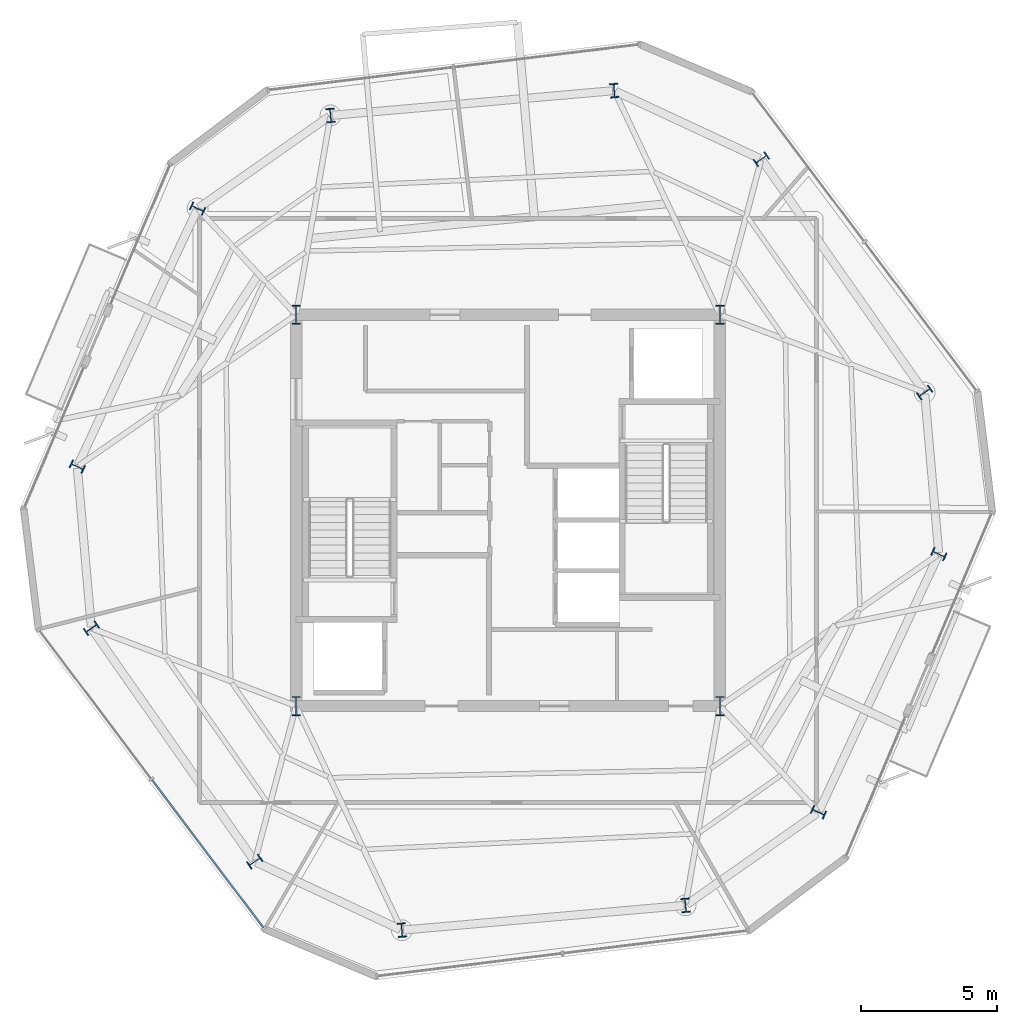
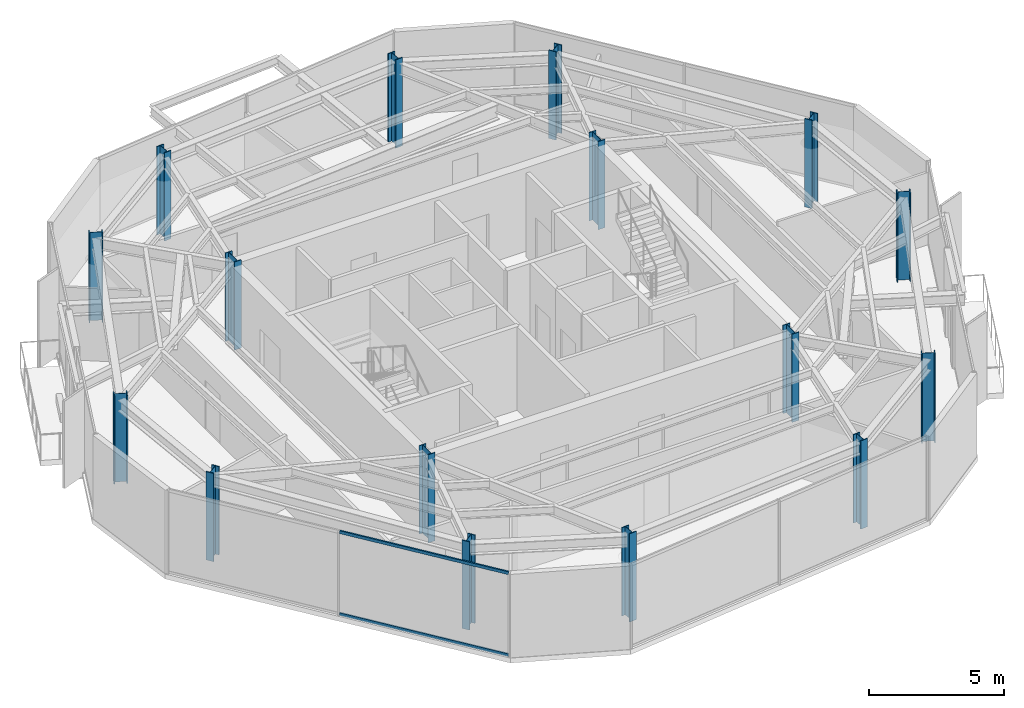
# One storey, part 1 of 11: 16 columns, 2 members, 1 element without a shape of its own.
"""IFC4 building model written with IfcOpenShell, lengths in metres."""

from ifc_helpers import new_model, si_unit, direction, frame, origin, origin_2d, place, context, subcontext, project, spatial, rectangle, i_section, extrude, material, layer, layer_set, material_profile, profile_set, type_object, element, aggregate, save


model = new_model("IFC4")

# Units and contexts
model_context = context("Model", 3, precision=1e-05, world=origin(), true_north=direction((0.0, 1.0)))
body_context = subcontext(model_context, "Body", "Model", "MODEL_VIEW")
ifc_project = project(units=[si_unit("LENGTHUNIT", "METRE"), si_unit("AREAUNIT", "SQUARE_METRE"), si_unit("VOLUMEUNIT", "CUBIC_METRE"), si_unit("PLANEANGLEUNIT", "RADIAN"), si_unit("MASSUNIT", "GRAM", prefix="KILO")], contexts=[model_context])

# Site, building, storey
site_placement = place(None, origin())
site = spatial("IfcSite", under=ifc_project, at=site_placement, CompositionType="ELEMENT")
building_placement = place(site_placement, origin())
building = spatial("IfcBuilding", under=site, at=building_placement, Name="Kranzbogen Civic Tower", CompositionType="ELEMENT")
storey_placement = place(building_placement, frame((0.0, 0.0, 294.199951171875)))
storey = spatial("IfcBuildingStorey", under=building, at=storey_placement, Name="L71", CompositionType="ELEMENT", Elevation=294.199951171875)

# Columns
ifc_material_1 = material(Name="Steel S355", Category="steel")
ifc_material_profile_1 = material_profile(ifc_material_1, i_section(OverallWidth=0.300048828125, OverallDepth=0.699951171875, WebThickness=0.01708984375, FlangeThickness=0.031982421875, at=origin_2d()), Name="HEB 700")
ifc_profile_set_1 = profile_set([ifc_material_profile_1], Name="Steel S355")
column_type_1 = type_object("IfcColumnType", Name="Structural Column HEB 700", PredefinedType="COLUMN", material=ifc_profile_set_1)
for number, where, z_axis, x_axis, name in (
    (1, (17.199951171875, 17.800048828125, 0.0), (0.0, 0.0, 1.0), (1.0, 0.0, 0.0), "L71 composite core corner column 1"),
    (2, (32.800048828125, 17.800048828125, 0.0), (0.0, 0.0, 1.0), (1.0, 0.0, 0.0), "L71 composite core corner column 2"),
    (3, (32.800048828125, 32.199951171875, 0.0), (0.0, 0.0, 1.0), (1.0, 0.0, 0.0), "L71 composite core corner column 3"),
    (4, (17.199951171875, 32.199951171875, 0.0), (0.0, 0.0, 1.0), (1.0, 0.0, 0.0), "L71 composite core corner column 4"),
):
    element("IfcColumn", number, at=place(storey_placement, frame(where, z_axis=z_axis, x_axis=x_axis)), inside=storey, type_object=column_type_1, Name=name, PredefinedType="COLUMN", context=body_context, shape_type="SweptSolid", body=[
        extrude(i_section(OverallWidth=0.300048828125, OverallDepth=0.699951171875, WebThickness=0.01708984375, FlangeThickness=0.031982421875, at=origin_2d()), origin(), (0.0, 0.0, 1.0), 4.0),
    ])
ifc_material_profile_2 = material_profile(ifc_material_1, i_section(OverallWidth=0.305908203125, OverallDepth=0.52392578125, WebThickness=0.02099609375, FlangeThickness=0.0400390625, at=origin_2d()), Name="HEM 500")
ifc_profile_set_2 = profile_set([ifc_material_profile_2], Name="Steel S355")
column_type_2 = type_object("IfcColumnType", Name="Structural Column HEM 500", PredefinedType="COLUMN", material=ifc_profile_set_2)
for number, where, z_axis, x_axis, name in (
    (5, (28.908935546875, 40.449951171875, 0.0), (0.0, 0.0, 1.0), (0.996194698092, 0.087155742748, 0.0), "L71 tower perimeter tube column 01"),
    (6, (18.467041015625, 39.535888671875, 0.0), (0.0, 0.0, 1.0), (0.996194698092, 0.087155742748, 0.0), "L71 tower perimeter tube column 02"),
    (7, (13.574951171875, 36.110107421875, 0.0), (0.0, 0.0, 1.0), (0.422618261741, 0.906307787037, 0.0), "L71 tower perimeter tube column 03"),
    (8, (9.14501953125, 26.610107421875, 0.0), (0.0, 0.0, 1.0), (0.422618261741, 0.906307787037, 0.0), "L71 tower perimeter tube column 04"),
    (9, (9.666015625, 20.660888671875, 0.0), (0.0, 0.0, 1.0), (-0.573576436351, 0.819152044289, 0.0), "L71 tower perimeter tube column 05"),
    (10, (15.677978515625, 12.073974609375, 0.0), (0.0, 0.0, 1.0), (-0.573576436351, 0.819152044289, 0.0), "L71 tower perimeter tube column 06"),
    (11, (21.091064453125, 9.550048828125, 0.0), (0.0, 0.0, 1.0), (0.996194698092, 0.087155742748, 0.0), "L71 tower perimeter tube column 07"),
    (12, (31.532958984375, 10.464111328125, 0.0), (0.0, 0.0, 1.0), (0.996194698092, 0.087155742748, 0.0), "L71 tower perimeter tube column 08"),
    (13, (36.425048828125, 13.889892578125, 0.0), (0.0, 0.0, 1.0), (0.422618261741, 0.906307787037, 0.0), "L71 tower perimeter tube column 09"),
    (14, (40.85498046875, 23.389892578125, 0.0), (0.0, 0.0, 1.0), (0.422618261741, 0.906307787037, 0.0), "L71 tower perimeter tube column 10"),
    (15, (40.333984375, 29.339111328125, 0.0), (0.0, 0.0, 1.0), (-0.573576436351, 0.819152044289, 0.0), "L71 tower perimeter tube column 11"),
    (16, (34.322021484375, 37.926025390625, 0.0), (0.0, 0.0, 1.0), (-0.573576436351, 0.819152044289, 0.0), "L71 tower perimeter tube column 12"),
):
    element("IfcColumn", number, at=place(storey_placement, frame(where, z_axis=z_axis, x_axis=x_axis)), inside=storey, type_object=column_type_2, Name=name, PredefinedType="COLUMN", context=body_context, shape_type="SweptSolid", body=[
        extrude(i_section(OverallWidth=0.305908203125, OverallDepth=0.52392578125, WebThickness=0.02099609375, FlangeThickness=0.0400390625, at=origin_2d()), origin(), (0.0, 0.0, 1.0), 4.0),
    ])

# Curtain wall, members
ifc_material_2 = material(Name="Pale Anodised Aluminium", Category="aluminium")
ifc_layer = layer(ifc_material_2, 0.219970703125, Name="Pale Anodised Aluminium")
ifc_layer_set = layer_set([ifc_layer], Name="Pale Anodised Aluminium")
curtain_wall_type = type_object("IfcCurtainWallType", Name="Zone 4 Stick Curtain Wall System CW-05", PredefinedType="USERDEFINED", material=ifc_layer_set)
curtain_wall_placement = place(storey_placement, origin())
curtain_wall = element("IfcCurtainWall", 17, at=curtain_wall_placement, inside=storey, type_object=curtain_wall_type, Name="L71 curtain wall CW-L71-F3", ObjectType="STICK CURTAIN WALL", PredefinedType="USERDEFINED")
ifc_material_profile_3 = material_profile(ifc_material_2, rectangle(XDim=0.06494140625, YDim=0.135009765625, at=origin_2d()), Name="ALU-T 65x135")
ifc_profile_set_3 = profile_set([ifc_material_profile_3], Name="Pale Anodised Aluminium")
member_type = type_object("IfcMemberType", Name="Curtain Wall Transom ALU-T 65x135", PredefinedType="USERDEFINED", material=ifc_profile_set_3)
member_1_placement = place(storey_placement, frame((11.89697265625, 15.088623046875, 0.030029296875), z_axis=(0.601820449389, -0.798631421056, 0.0), x_axis=(0.798631421056, 0.601820449389, 0.0)))
member_1 = element("IfcMember", 18, at=member_1_placement, type_object=member_type, Name="CW-05 transom 2.1", ObjectType="TRANSOM", PredefinedType="USERDEFINED", context=body_context, shape_type="SweptSolid", body=[
    extrude(rectangle(XDim=0.06494140625, YDim=0.135009765625, at=origin_2d()), origin(), (0.0, 0.0, 1.0), 6.817626953125),
])
member_2_placement = place(storey_placement, frame((11.89697265625, 15.088623046875, 3.75), z_axis=(0.601820449389, -0.798631421056, 0.0), x_axis=(0.798631421056, 0.601820449389, 0.0)))
member_2 = element("IfcMember", 19, at=member_2_placement, type_object=member_type, Name="CW-05 transom 2.2", ObjectType="TRANSOM", PredefinedType="USERDEFINED", context=body_context, shape_type="SweptSolid", body=[
    extrude(rectangle(XDim=0.06494140625, YDim=0.135009765625, at=origin_2d()), origin(), (0.0, 0.0, 1.0), 6.817626953125),
])
aggregate(curtain_wall, [member_1, member_2])

save(model, "model.ifc")
